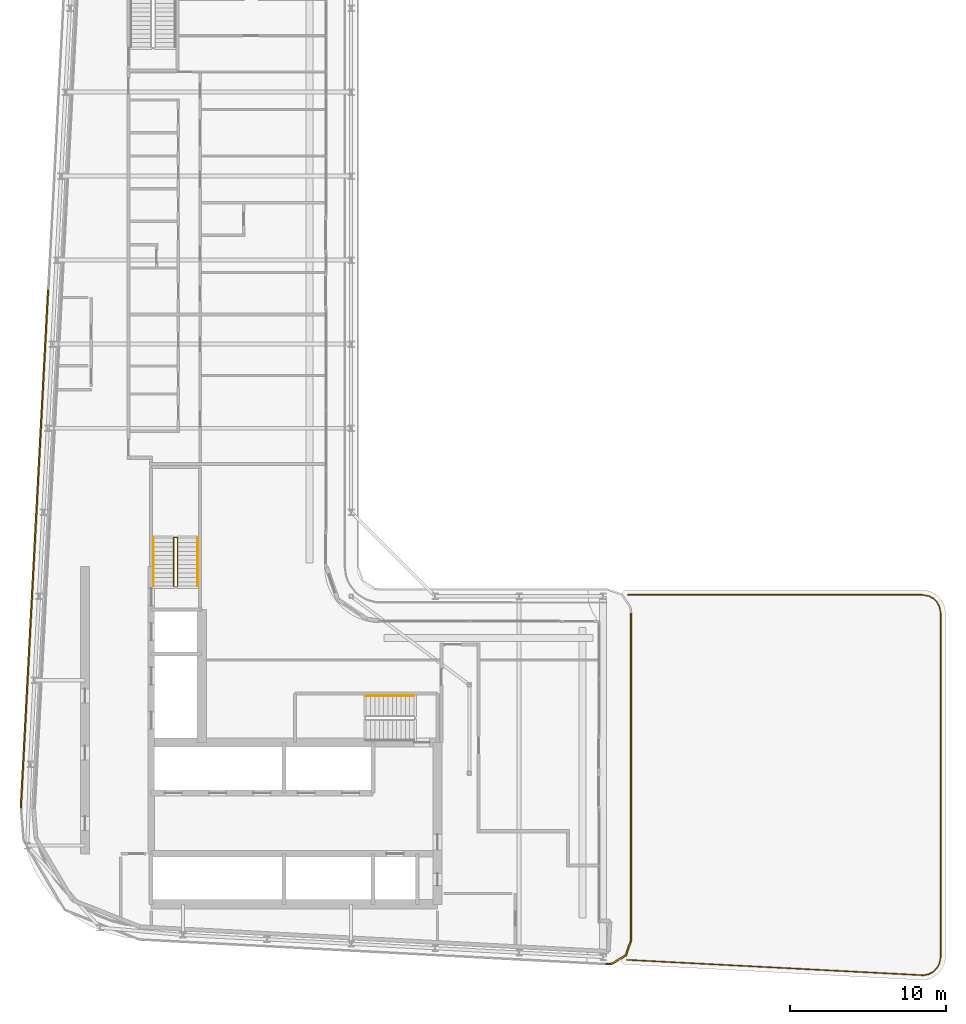
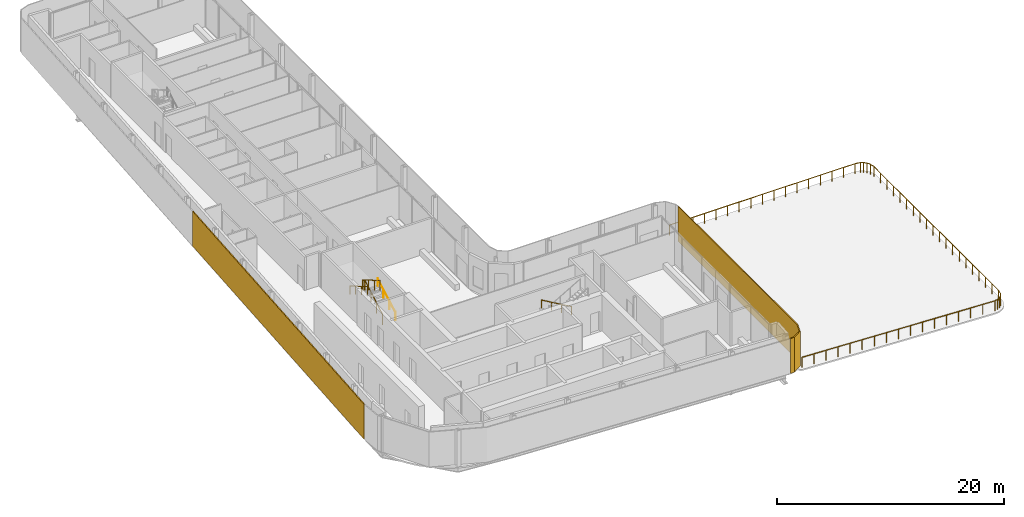
# One storey, part 18 of 22: 5 railings, 2 shading devices.
"""IFC4 building model written with IfcOpenShell, lengths in metres."""

from ifc_helpers import new_model, si_unit, direction, frame, origin, origin_2d, place, context, subcontext, project, spatial, polyline, rectangle, circle, outline, extrude, material, layer, layer_set, type_object, element, save


model = new_model("IFC4")

# Units and contexts
model_context = context("Model", 3, precision=1e-05, world=origin(), true_north=direction((0.0, 1.0)))
body_context = subcontext(model_context, "Body", "Model", "MODEL_VIEW")
ifc_project = project(units=[si_unit("LENGTHUNIT", "METRE"), si_unit("AREAUNIT", "SQUARE_METRE"), si_unit("VOLUMEUNIT", "CUBIC_METRE"), si_unit("PLANEANGLEUNIT", "RADIAN"), si_unit("MASSUNIT", "GRAM", prefix="KILO")], contexts=[model_context])

# Site, building, storey
site_placement = place(None, origin())
site = spatial("IfcSite", under=ifc_project, at=site_placement, CompositionType="ELEMENT")
building_placement = place(site_placement, origin())
building = spatial("IfcBuilding", under=site, at=building_placement, Name="Kheshtan School and Residences Tower", CompositionType="ELEMENT")
storey_placement = place(building_placement, frame((0.0, 0.0, 274.699951171875)))
storey = spatial("IfcBuildingStorey", under=building, at=storey_placement, Name="L64", CompositionType="ELEMENT", Elevation=274.699951171875)

# Shading device
ifc_material_1 = material(Name="Terracotta baguette, extruded ceramic", Category="masonry")
ifc_layer_1 = layer(ifc_material_1, 0.10009765625)
ifc_layer_set_1 = layer_set([ifc_layer_1], Name="Ledge screen, terracotta baguettes")
shading_device_type_1 = type_object("IfcShadingDeviceType", Name="Ledge screen, terracotta baguettes", PredefinedType="USERDEFINED", material=ifc_layer_set_1)
shading_device_1_placement = place(storey_placement, frame((27.24609375, 48.638916015625, 0.0), z_axis=(0.0, 0.0, 1.0), x_axis=(0.052562536748, 0.998617634398, 0.0)))
element("IfcShadingDevice", 1, at=shading_device_1_placement, inside=storey, type_object=shading_device_type_1, Name="Screen L64 4", ObjectType="BAGUETTE", PredefinedType="USERDEFINED", context=body_context, shape_type="SweptSolid", body=[
    extrude(rectangle(XDim=33.341064453125, YDim=0.10009765625, at=origin_2d()), origin(), (0.0, 0.0, 1.0), 3.75),
])

# Railing
ifc_material_2 = material(Name="Stainless steel balustrade", Category="steel")
railing_type_1 = type_object("IfcRailingType", Name="Loggia guard 1100", PredefinedType="GUARDRAIL", material=ifc_material_2)
railing_1_placement = place(storey_placement, frame((65.386962890625, 45.699951171875, 0.0)))
element("IfcRailing", 2, at=railing_1_placement, inside=storey, type_object=railing_type_1, Name="Terrace guard L64 1", PredefinedType="GUARDRAIL", context=body_context, shape_type="SweptSolid", body=[
    extrude(circle(Radius=0.02392578125, at=origin_2d()), frame((0.0, 0.0, 1.076171875), z_axis=(1.0, 0.0, 0.0), x_axis=(0.0, 1.0, 0.0)), (0.0, 0.0, 1.0), 18.902099609375),
    extrude(circle(Radius=0.02392578125, at=origin_2d()), frame((18.902099609375, 0.0, 1.076171875), z_axis=(0.980966720879, -0.194175931896, 0.0), x_axis=(0.194175931896, 0.980966720879, 0.0)), (0.0, 0.0, 1.0), 0.484130859375),
    extrude(circle(Radius=0.02392578125, at=origin_2d()), frame((19.376953125, -0.093994140625, 1.076171875), z_axis=(0.86654837146, -0.499093097448, 0.0), x_axis=(0.499093097448, 0.86654837146, 0.0)), (0.0, 0.0, 1.0), 0.30224609375),
    extrude(circle(Radius=0.02392578125, at=origin_2d()), frame((19.638916015625, -0.244873046875, 1.076171875), z_axis=(0.710627579087, -0.703568364725, 0.0), x_axis=(0.703568364725, 0.710627579087, 0.0)), (0.0, 0.0, 1.0), 0.311279296875),
    extrude(circle(Radius=0.02392578125, at=origin_2d()), frame((19.860107421875, -0.4638671875, 1.076171875), z_axis=(0.499421731632, -0.866359009865, 0.0), x_axis=(0.866359009865, 0.499421731632, 0.0)), (0.0, 0.0, 1.0), 0.328125),
    extrude(circle(Radius=0.02392578125, at=origin_2d()), frame((20.02392578125, -0.748046875, 1.076171875), z_axis=(0.189039484563, -0.981969486937, 0.0), x_axis=(0.981969486937, 0.189039484563, 0.0)), (0.0, 0.0, 1.0), 0.471435546875),
    extrude(circle(Radius=0.02392578125, at=origin_2d()), frame((20.113037109375, -1.2109375, 1.076171875), z_axis=(0.0, -1.0, 0.0), x_axis=(1.0, 0.0, 0.0)), (0.0, 0.0, 1.0), 22.0439453125),
    extrude(circle(Radius=0.02392578125, at=origin_2d()), frame((20.113037109375, -23.2548828125, 1.076171875), z_axis=(-0.200534940485, -0.979686550711, 0.0), x_axis=(0.979686550711, -0.200534940485, 0.0)), (0.0, 0.0, 1.0), 0.499267578125),
    extrude(circle(Radius=0.02392578125, at=origin_2d()), frame((20.012939453125, -23.743896484375, 1.076171875), z_axis=(-0.513688204224, -0.857976939574, 0.0), x_axis=(0.857976939574, -0.513688204224, 0.0)), (0.0, 0.0, 1.0), 0.311279296875),
    extrude(circle(Radius=0.02392578125, at=origin_2d()), frame((19.85302734375, -24.010986328125, 1.076171875), z_axis=(-0.724855786226, -0.6889006381, 0.0), x_axis=(0.6889006381, -0.724855786226, 0.0)), (0.0, 0.0, 1.0), 0.339599609375),
    extrude(circle(Radius=0.02392578125, at=origin_2d()), frame((19.60693359375, -24.244873046875, 1.076171875), z_axis=(-0.887216801235, -0.461352736642, 0.0), x_axis=(0.461352736642, -0.887216801235, 0.0)), (0.0, 0.0, 1.0), 0.3232421875),
    extrude(circle(Radius=0.02392578125, at=origin_2d()), frame((19.320068359375, -24.39404296875, 1.076171875), z_axis=(-0.976997813333, -0.213249320614, 0.0), x_axis=(0.213249320614, -0.976997813333, 0.0)), (0.0, 0.0, 1.0), 0.30908203125),
    extrude(circle(Radius=0.02392578125, at=origin_2d()), frame((19.01806640625, -24.4599609375, 1.076171875), z_axis=(-0.998653983532, 0.051867342092, 0.0), x_axis=(-0.051867342092, -0.998653983532, 0.0)), (0.0, 0.0, 1.0), 19.105712890625),
    extrude(circle(Radius=0.02099609375, at=origin_2d()), origin(), (0.0, 0.0, 1.0), 1.052001953125),
    extrude(circle(Radius=0.02099609375, at=origin_2d()), frame((1.181396484375, 0.0, 0.0)), (0.0, 0.0, 1.0), 1.052001953125),
    extrude(circle(Radius=0.02099609375, at=origin_2d()), frame((2.36279296875, 0.0, 0.0)), (0.0, 0.0, 1.0), 1.052001953125),
    extrude(circle(Radius=0.02099609375, at=origin_2d()), frame((3.544189453125, 0.0, 0.0)), (0.0, 0.0, 1.0), 1.052001953125),
    extrude(circle(Radius=0.02099609375, at=origin_2d()), frame((4.7255859375, 0.0, 0.0)), (0.0, 0.0, 1.0), 1.052001953125),
    extrude(circle(Radius=0.02099609375, at=origin_2d()), frame((5.906982421875, 0.0, 0.0)), (0.0, 0.0, 1.0), 1.052001953125),
    extrude(circle(Radius=0.02099609375, at=origin_2d()), frame((7.08837890625, 0.0, 0.0)), (0.0, 0.0, 1.0), 1.052001953125),
    extrude(circle(Radius=0.02099609375, at=origin_2d()), frame((8.269775390625, 0.0, 0.0)), (0.0, 0.0, 1.0), 1.052001953125),
    extrude(circle(Radius=0.02099609375, at=origin_2d()), frame((9.451171875, 0.0, 0.0)), (0.0, 0.0, 1.0), 1.052001953125),
    extrude(circle(Radius=0.02099609375, at=origin_2d()), frame((10.63232421875, 0.0, 0.0)), (0.0, 0.0, 1.0), 1.052001953125),
    extrude(circle(Radius=0.02099609375, at=origin_2d()), frame((11.813720703125, 0.0, 0.0)), (0.0, 0.0, 1.0), 1.052001953125),
    extrude(circle(Radius=0.02099609375, at=origin_2d()), frame((12.9951171875, 0.0, 0.0)), (0.0, 0.0, 1.0), 1.052001953125),
    extrude(circle(Radius=0.02099609375, at=origin_2d()), frame((14.176513671875, 0.0, 0.0)), (0.0, 0.0, 1.0), 1.052001953125),
    extrude(circle(Radius=0.02099609375, at=origin_2d()), frame((15.35791015625, 0.0, 0.0)), (0.0, 0.0, 1.0), 1.052001953125),
    extrude(circle(Radius=0.02099609375, at=origin_2d()), frame((16.539306640625, 0.0, 0.0)), (0.0, 0.0, 1.0), 1.052001953125),
    extrude(circle(Radius=0.02099609375, at=origin_2d()), frame((17.720703125, 0.0, 0.0)), (0.0, 0.0, 1.0), 1.052001953125),
    extrude(circle(Radius=0.02099609375, at=origin_2d()), frame((18.902099609375, 0.0, 0.0)), (0.0, 0.0, 1.0), 1.052001953125),
    extrude(circle(Radius=0.02099609375, at=origin_2d()), frame((19.376953125, -0.093994140625, 0.0)), (0.0, 0.0, 1.0), 1.052001953125),
    extrude(circle(Radius=0.02099609375, at=origin_2d()), frame((19.638916015625, -0.244873046875, 0.0)), (0.0, 0.0, 1.0), 1.052001953125),
    extrude(circle(Radius=0.02099609375, at=origin_2d()), frame((19.860107421875, -0.4638671875, 0.0)), (0.0, 0.0, 1.0), 1.052001953125),
    extrude(circle(Radius=0.02099609375, at=origin_2d()), frame((20.02392578125, -0.748046875, 0.0)), (0.0, 0.0, 1.0), 1.052001953125),
    extrude(circle(Radius=0.02099609375, at=origin_2d()), frame((20.113037109375, -1.2109375, 0.0)), (0.0, 0.0, 1.0), 1.052001953125),
    extrude(circle(Radius=0.02099609375, at=origin_2d()), frame((20.113037109375, -2.37109375, 0.0)), (0.0, 0.0, 1.0), 1.052001953125),
    extrude(circle(Radius=0.02099609375, at=origin_2d()), frame((20.113037109375, -3.53125, 0.0)), (0.0, 0.0, 1.0), 1.052001953125),
    extrude(circle(Radius=0.02099609375, at=origin_2d()), frame((20.113037109375, -4.691650390625, 0.0)), (0.0, 0.0, 1.0), 1.052001953125),
    extrude(circle(Radius=0.02099609375, at=origin_2d()), frame((20.113037109375, -5.851806640625, 0.0)), (0.0, 0.0, 1.0), 1.052001953125),
    extrude(circle(Radius=0.02099609375, at=origin_2d()), frame((20.113037109375, -7.011962890625, 0.0)), (0.0, 0.0, 1.0), 1.052001953125),
    extrude(circle(Radius=0.02099609375, at=origin_2d()), frame((20.113037109375, -8.172119140625, 0.0)), (0.0, 0.0, 1.0), 1.052001953125),
    extrude(circle(Radius=0.02099609375, at=origin_2d()), frame((20.113037109375, -9.332275390625, 0.0)), (0.0, 0.0, 1.0), 1.052001953125),
    extrude(circle(Radius=0.02099609375, at=origin_2d()), frame((20.113037109375, -10.49267578125, 0.0)), (0.0, 0.0, 1.0), 1.052001953125),
    extrude(circle(Radius=0.02099609375, at=origin_2d()), frame((20.113037109375, -11.65283203125, 0.0)), (0.0, 0.0, 1.0), 1.052001953125),
    extrude(circle(Radius=0.02099609375, at=origin_2d()), frame((20.113037109375, -12.81298828125, 0.0)), (0.0, 0.0, 1.0), 1.052001953125),
    extrude(circle(Radius=0.02099609375, at=origin_2d()), frame((20.113037109375, -13.97314453125, 0.0)), (0.0, 0.0, 1.0), 1.052001953125),
    extrude(circle(Radius=0.02099609375, at=origin_2d()), frame((20.113037109375, -15.133544921875, 0.0)), (0.0, 0.0, 1.0), 1.052001953125),
    extrude(circle(Radius=0.02099609375, at=origin_2d()), frame((20.113037109375, -16.293701171875, 0.0)), (0.0, 0.0, 1.0), 1.052001953125),
    extrude(circle(Radius=0.02099609375, at=origin_2d()), frame((20.113037109375, -17.453857421875, 0.0)), (0.0, 0.0, 1.0), 1.052001953125),
    extrude(circle(Radius=0.02099609375, at=origin_2d()), frame((20.113037109375, -18.614013671875, 0.0)), (0.0, 0.0, 1.0), 1.052001953125),
    extrude(circle(Radius=0.02099609375, at=origin_2d()), frame((20.113037109375, -19.774169921875, 0.0)), (0.0, 0.0, 1.0), 1.052001953125),
    extrude(circle(Radius=0.02099609375, at=origin_2d()), frame((20.113037109375, -20.9345703125, 0.0)), (0.0, 0.0, 1.0), 1.052001953125),
    extrude(circle(Radius=0.02099609375, at=origin_2d()), frame((20.113037109375, -22.0947265625, 0.0)), (0.0, 0.0, 1.0), 1.052001953125),
    extrude(circle(Radius=0.02099609375, at=origin_2d()), frame((20.113037109375, -23.2548828125, 0.0)), (0.0, 0.0, 1.0), 1.052001953125),
    extrude(circle(Radius=0.02099609375, at=origin_2d()), frame((20.012939453125, -23.743896484375, 0.0)), (0.0, 0.0, 1.0), 1.052001953125),
    extrude(circle(Radius=0.02099609375, at=origin_2d()), frame((19.85302734375, -24.010986328125, 0.0)), (0.0, 0.0, 1.0), 1.052001953125),
    extrude(circle(Radius=0.02099609375, at=origin_2d()), frame((19.60693359375, -24.244873046875, 0.0)), (0.0, 0.0, 1.0), 1.052001953125),
    extrude(circle(Radius=0.02099609375, at=origin_2d()), frame((19.320068359375, -24.39404296875, 0.0)), (0.0, 0.0, 1.0), 1.052001953125),
    extrude(circle(Radius=0.02099609375, at=origin_2d()), frame((19.01806640625, -24.4599609375, 0.0)), (0.0, 0.0, 1.0), 1.052001953125),
    extrude(circle(Radius=0.02099609375, at=origin_2d()), frame((17.82568359375, -24.39794921875, 0.0)), (0.0, 0.0, 1.0), 1.052001953125),
    extrude(circle(Radius=0.02099609375, at=origin_2d()), frame((16.633056640625, -24.336181640625, 0.0)), (0.0, 0.0, 1.0), 1.052001953125),
    extrude(circle(Radius=0.02099609375, at=origin_2d()), frame((15.4404296875, -24.274169921875, 0.0)), (0.0, 0.0, 1.0), 1.052001953125),
    extrude(circle(Radius=0.02099609375, at=origin_2d()), frame((14.248046875, -24.212158203125, 0.0)), (0.0, 0.0, 1.0), 1.052001953125),
    extrude(circle(Radius=0.02099609375, at=origin_2d()), frame((13.0556640625, -24.150390625, 0.0)), (0.0, 0.0, 1.0), 1.052001953125),
    extrude(circle(Radius=0.02099609375, at=origin_2d()), frame((11.863037109375, -24.08837890625, 0.0)), (0.0, 0.0, 1.0), 1.052001953125),
    extrude(circle(Radius=0.02099609375, at=origin_2d()), frame((10.67041015625, -24.0263671875, 0.0)), (0.0, 0.0, 1.0), 1.052001953125),
    extrude(circle(Radius=0.02099609375, at=origin_2d()), frame((9.47802734375, -23.96435546875, 0.0)), (0.0, 0.0, 1.0), 1.052001953125),
    extrude(circle(Radius=0.02099609375, at=origin_2d()), frame((8.28564453125, -23.902587890625, 0.0)), (0.0, 0.0, 1.0), 1.052001953125),
    extrude(circle(Radius=0.02099609375, at=origin_2d()), frame((7.093017578125, -23.840576171875, 0.0)), (0.0, 0.0, 1.0), 1.052001953125),
    extrude(circle(Radius=0.02099609375, at=origin_2d()), frame((5.900390625, -23.778564453125, 0.0)), (0.0, 0.0, 1.0), 1.052001953125),
    extrude(circle(Radius=0.02099609375, at=origin_2d()), frame((4.7080078125, -23.716796875, 0.0)), (0.0, 0.0, 1.0), 1.052001953125),
    extrude(circle(Radius=0.02099609375, at=origin_2d()), frame((3.515625, -23.65478515625, 0.0)), (0.0, 0.0, 1.0), 1.052001953125),
    extrude(circle(Radius=0.02099609375, at=origin_2d()), frame((2.322998046875, -23.5927734375, 0.0)), (0.0, 0.0, 1.0), 1.052001953125),
    extrude(circle(Radius=0.02099609375, at=origin_2d()), frame((1.13037109375, -23.531005859375, 0.0)), (0.0, 0.0, 1.0), 1.052001953125),
    extrude(circle(Radius=0.02099609375, at=origin_2d()), frame((-0.06201171875, -23.468994140625, 0.0)), (0.0, 0.0, 1.0), 1.052001953125),
])

# Shading device
ifc_material_3 = material(Name="Terracotta lattice, extruded ceramic", Category="masonry")
ifc_layer_2 = layer(ifc_material_3, 0.10009765625)
ifc_layer_set_2 = layer_set([ifc_layer_2], Name="Loggia screen, terracotta lattice")
shading_device_type_2 = type_object("IfcShadingDeviceType", Name="Loggia screen, terracotta lattice", PredefinedType="USERDEFINED", material=ifc_layer_set_2)
shading_device_2_placement = place(storey_placement, origin())
element("IfcShadingDevice", 3, at=shading_device_2_placement, inside=storey, type_object=shading_device_type_2, Name="Screen L64 2", ObjectType="SCREEN", PredefinedType="USERDEFINED", context=body_context, shape_type="SweptSolid", body=[
    extrude(outline(polyline([(65.550048828125, 44.5), (65.550048828125, 23.4990234375), (65.219970703125, 22.56005859375), (64.3740234375, 22.034912109375), (63.970947265625, 22.001953125), (63.97900390625, 21.902099609375), (64.406005859375, 21.93701171875), (65.302978515625, 22.493896484375), (65.64990234375, 23.48193359375), (65.64990234375, 44.5), (65.550048828125, 44.5)])), origin(), (0.0, 0.0, 1.0), 3.75),
])

# Railings
railing_type_2 = type_object("IfcRailingType", Name="Stair guard 1100", PredefinedType="GUARDRAIL", material=ifc_material_2)
railing_2_placement = place(storey_placement, frame((36.449951171875, 46.25, 0.16259765625)))
element("IfcRailing", 4, at=railing_2_placement, inside=storey, type_object=railing_type_2, Name="L64 ST2 stair guard 1", PredefinedType="GUARDRAIL", context=body_context, shape_type="SweptSolid", body=[
    extrude(circle(Radius=0.02392578125, at=origin_2d()), frame((0.0, 0.0, 1.076171875), z_axis=(0.0, 0.864920483161, 0.501908913857), x_axis=(-1.0, 0.0, 0.0)), (0.0, 0.0, 1.0), 3.56103515625),
    extrude(circle(Radius=0.02392578125, at=origin_2d()), frame((0.0, 3.080078125, 2.86328125), z_axis=(-0.708833529934, 0.705375805398, 0.0), x_axis=(-0.705375805398, -0.708833529934, 0.0)), (0.0, 0.0, 1.0), 0.070556640625),
    extrude(circle(Radius=0.02392578125, at=origin_2d()), frame((-0.050048828125, 3.1298828125, 2.86328125), z_axis=(-1.0, 0.0, 0.0), x_axis=(0.0, -1.0, 0.0)), (0.0, 0.0, 1.0), 0.14990234375),
    extrude(circle(Radius=0.02392578125, at=origin_2d()), frame((-0.199951171875, 3.1298828125, 2.86328125), z_axis=(-0.282336740067, -0.280959487676, 0.917250092119), x_axis=(0.705375805398, -0.708833529934, 0.0)), (0.0, 0.0, 1.0), 0.17724609375),
    extrude(circle(Radius=0.02392578125, at=origin_2d()), frame((-0.25, 3.080078125, 3.02587890625), z_axis=(0.0, -0.864890721111, 0.501960198159), x_axis=(1.0, 0.0, 0.0)), (0.0, 0.0, 1.0), 3.561279296875),
    extrude(circle(Radius=0.02099609375, at=origin_2d()), origin(), (0.0, 0.0, 1.0), 1.052001953125),
    extrude(circle(Radius=0.02099609375, at=origin_2d()), frame((0.0, 1.026611328125, 0.595703125)), (0.0, 0.0, 1.0), 1.052001953125),
    extrude(circle(Radius=0.02099609375, at=origin_2d()), frame((0.0, 2.053466796875, 1.191650390625)), (0.0, 0.0, 1.0), 1.052001953125),
    extrude(circle(Radius=0.02099609375, at=origin_2d()), frame((0.0, 3.080078125, 1.787353515625)), (0.0, 0.0, 1.0), 1.052001953125),
    extrude(circle(Radius=0.02099609375, at=origin_2d()), frame((-0.050048828125, 3.1298828125, 1.787353515625)), (0.0, 0.0, 1.0), 1.052001953125),
    extrude(circle(Radius=0.02099609375, at=origin_2d()), frame((-0.199951171875, 3.1298828125, 1.787353515625)), (0.0, 0.0, 1.0), 1.052001953125),
    extrude(circle(Radius=0.02099609375, at=origin_2d()), frame((-0.25, 3.080078125, 1.949951171875)), (0.0, 0.0, 1.0), 1.052001953125),
    extrude(circle(Radius=0.02099609375, at=origin_2d()), frame((-0.25, 2.053466796875, 2.5458984375)), (0.0, 0.0, 1.0), 1.052001953125),
    extrude(circle(Radius=0.02099609375, at=origin_2d()), frame((-0.25, 1.026611328125, 3.1416015625)), (0.0, 0.0, 1.0), 1.052001953125),
    extrude(circle(Radius=0.02099609375, at=origin_2d()), frame((-0.25, 0.0, 3.737548828125)), (0.0, 0.0, 1.0), 1.052001953125),
])
ifc_material_4 = material(Name="Stainless steel handrail", Category="steel")
railing_type_3 = type_object("IfcRailingType", Name="Stair handrail 900", PredefinedType="HANDRAIL", material=ifc_material_4)
railing_3_placement = place(storey_placement, frame((51.64990234375, 39.199951171875, 0.16259765625)))
element("IfcRailing", 5, at=railing_3_placement, inside=storey, type_object=railing_type_3, Name="L64 ST1 stair handrail 1", PredefinedType="HANDRAIL", context=body_context, shape_type="SweptSolid", body=[
    extrude(circle(Radius=0.02392578125, at=origin_2d()), frame((0.0, 0.0, 0.8759765625), z_axis=(-0.864903211148, 0.0, 0.501938676878), x_axis=(0.0, -1.0, 0.0)), (0.0, 0.0, 1.0), 3.560791015625),
    extrude(circle(Radius=0.02099609375, at=origin_2d()), origin(), (0.0, 0.0, 1.0), 0.851806640625),
    extrude(circle(Radius=0.02099609375, at=origin_2d()), frame((-1.026611328125, 0.0, 0.595703125)), (0.0, 0.0, 1.0), 0.851806640625),
    extrude(circle(Radius=0.02099609375, at=origin_2d()), frame((-2.05322265625, 0.0, 1.191650390625)), (0.0, 0.0, 1.0), 0.851806640625),
    extrude(circle(Radius=0.02099609375, at=origin_2d()), frame((-3.079833984375, 0.0, 1.787353515625)), (0.0, 0.0, 1.0), 0.851806640625),
])
railing_4_placement = place(storey_placement, frame((37.75, 46.25, 0.16259765625)))
element("IfcRailing", 6, at=railing_4_placement, inside=storey, type_object=railing_type_3, Name="L64 ST2 stair handrail 1", PredefinedType="HANDRAIL", context=body_context, shape_type="SweptSolid", body=[
    extrude(circle(Radius=0.02392578125, at=origin_2d()), frame((0.0, 0.0, 0.8759765625), z_axis=(0.0, 0.864920483161, 0.501908913857), x_axis=(-1.0, 0.0, 0.0)), (0.0, 0.0, 1.0), 3.56103515625),
    extrude(circle(Radius=0.02099609375, at=origin_2d()), origin(), (0.0, 0.0, 1.0), 0.851806640625),
    extrude(circle(Radius=0.02099609375, at=origin_2d()), frame((0.0, 1.026611328125, 0.595703125)), (0.0, 0.0, 1.0), 0.851806640625),
    extrude(circle(Radius=0.02099609375, at=origin_2d()), frame((0.0, 2.053466796875, 1.191650390625)), (0.0, 0.0, 1.0), 0.851806640625),
    extrude(circle(Radius=0.02099609375, at=origin_2d()), frame((0.0, 3.080078125, 1.787353515625)), (0.0, 0.0, 1.0), 0.851806640625),
])
railing_5_placement = place(storey_placement, frame((34.89990234375, 49.330078125, 2.112548828125)))
element("IfcRailing", 7, at=railing_5_placement, inside=storey, type_object=railing_type_3, Name="L64 ST2 stair handrail 2", PredefinedType="HANDRAIL", context=body_context, shape_type="SweptSolid", body=[
    extrude(circle(Radius=0.02392578125, at=origin_2d()), frame((0.0, 0.0, 0.8759765625), z_axis=(0.0, -0.864890721111, 0.501960198159), x_axis=(1.0, 0.0, 0.0)), (0.0, 0.0, 1.0), 3.561279296875),
    extrude(circle(Radius=0.02099609375, at=origin_2d()), origin(), (0.0, 0.0, 1.0), 0.851806640625),
    extrude(circle(Radius=0.02099609375, at=origin_2d()), frame((0.0, -1.026611328125, 0.595947265625)), (0.0, 0.0, 1.0), 0.851806640625),
    extrude(circle(Radius=0.02099609375, at=origin_2d()), frame((0.0, -2.053466796875, 1.191650390625)), (0.0, 0.0, 1.0), 0.851806640625),
    extrude(circle(Radius=0.02099609375, at=origin_2d()), frame((0.0, -3.080078125, 1.78759765625)), (0.0, 0.0, 1.0), 0.851806640625),
])

save(model, "model.ifc")
